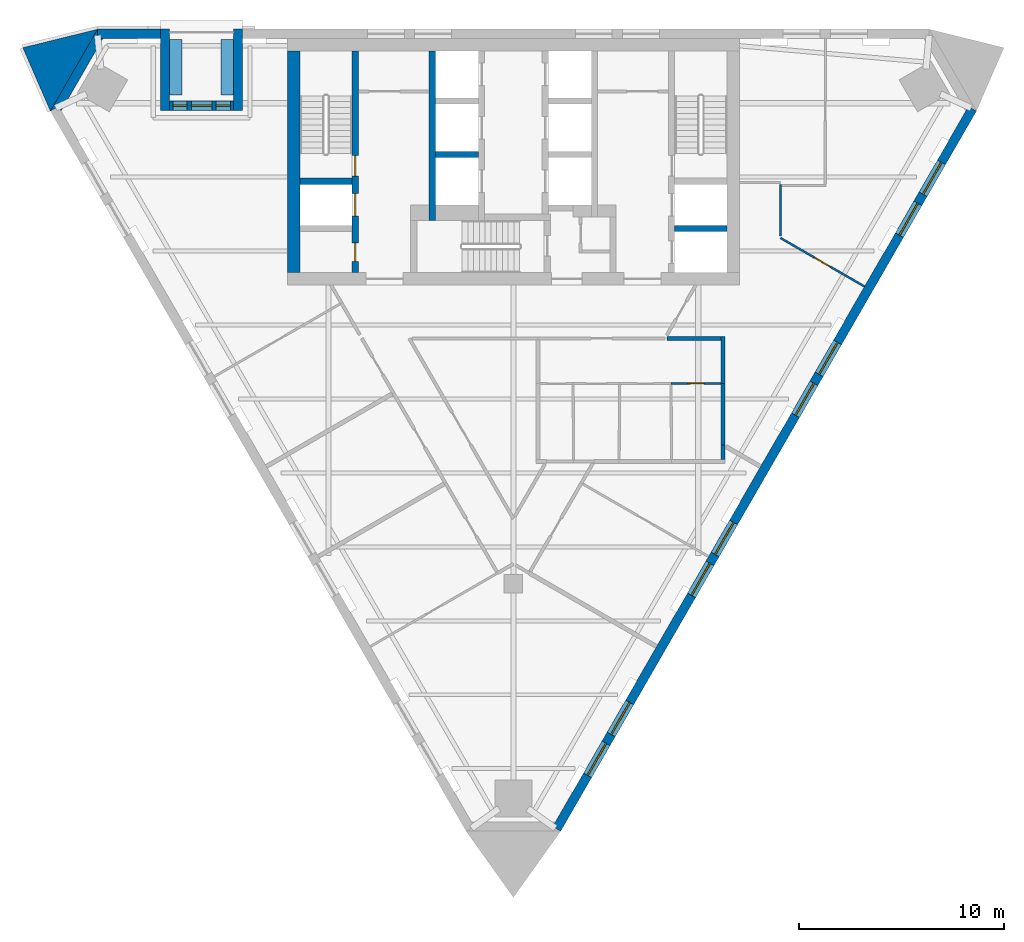
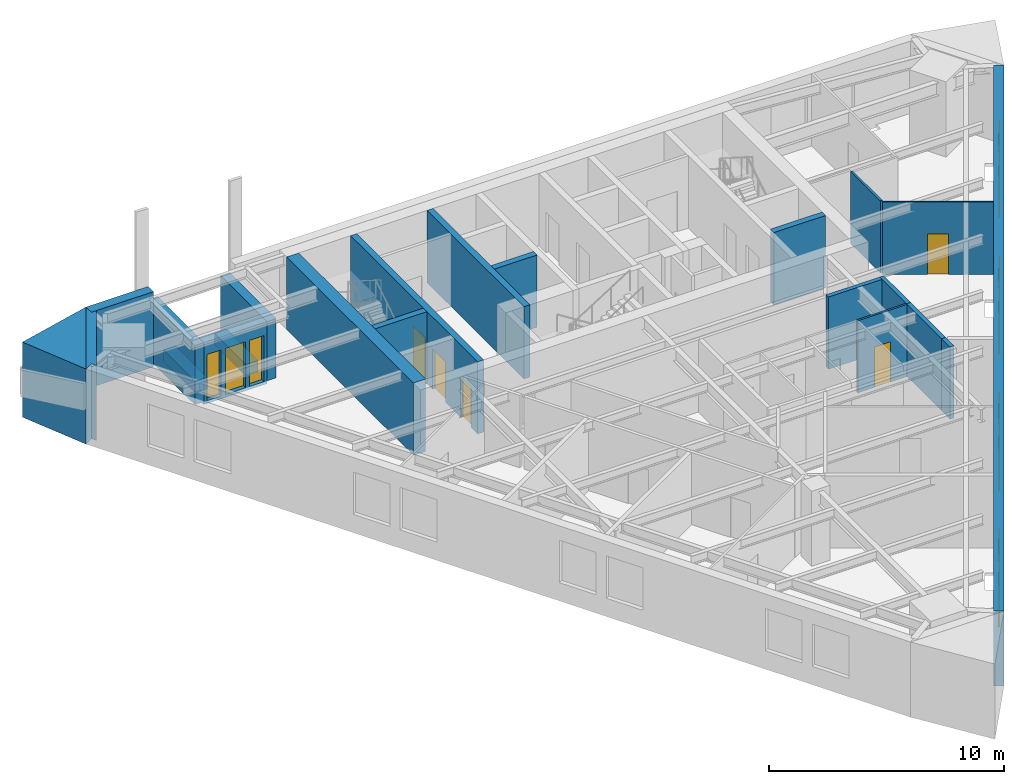
# One storey, part 4 of 8: 22 walls, 10 windows, 6 doors, 16 openings.
"""IFC4 building model written with IfcOpenShell, lengths in metres."""

import ifcopenshell
import ifcopenshell.guid

model = None  # the IFC model being written
_history = None  # IfcOwnerHistory: only IFC2X3 demands one
_inside = {}  # id of a spatial element -> (the spatial element, [elements in it])
_under = {}  # id of a project, library or spatial element -> (it, [spatial elements below it])
_declared = {}  # id of a project -> (the project, [libraries it declares])
_typed = {}  # id of a type object -> (the type object, [elements of that type])
_made_of = {}  # id of a material, layer set ... -> (it, [elements and type objects made of it])


def new_model(schema):
    """Start an empty IFC model of exactly this schema.

    Asked for "IFC4X3", IfcOpenShell would pick the latest addendum, in which some entities
    have other attributes; the version numbers below select the first issue.
    IFC2X3 requires an IfcOwnerHistory on every rooted entity: one is made here for all.
    """
    global model, _history
    if schema == "IFC4X3":
        model = ifcopenshell.file(schema_version=(4, 3, 0, 0))
    else:
        model = ifcopenshell.file(schema=schema)
    _inside.clear()
    _under.clear()
    _declared.clear()
    _typed.clear()
    _made_of.clear()
    _history = None
    if model.schema == "IFC2X3":
        org = make("IfcOrganization", Name="unknown")
        user = make(
            "IfcPersonAndOrganization",
            ThePerson=make("IfcPerson", FamilyName="unknown"),
            TheOrganization=org,
        )
        app = make(
            "IfcApplication",
            ApplicationDeveloper=org,
            Version="unknown",
            ApplicationFullName="unknown",
            ApplicationIdentifier="unknown",
        )
        _history = make(
            "IfcOwnerHistory",
            OwningUser=user,
            OwningApplication=app,
            ChangeAction="ADDED",
            CreationDate=0,
        )
    return model


def make(cls, **values):
    """One entity of the class cls with the attributes given. An attribute that is None is left unset."""
    return model.create_entity(
        cls, **{name: value for name, value in values.items() if value is not None}
    )


def rooted(cls, **values):
    """An entity with a GlobalId (a new one), such as an element, a storey or a relation."""
    return make(cls, GlobalId=ifcopenshell.guid.new(), OwnerHistory=_history, **values)


def si_unit(unit_type, name, prefix=None):
    """IfcSIUnit, for example si_unit("LENGTHUNIT", "METRE", prefix="MILLI")."""
    return make("IfcSIUnit", UnitType=unit_type, Prefix=prefix, Name=name)


def assignment(units):
    """IfcUnitAssignment: the units of a project."""
    return None if units is None else make("IfcUnitAssignment", Units=units)


def point(xyz):
    """IfcCartesianPoint."""
    return None if xyz is None else make("IfcCartesianPoint", Coordinates=xyz)


def direction(xyz):
    """IfcDirection."""
    return None if xyz is None else make("IfcDirection", DirectionRatios=xyz)


def frame(location, z_axis=None, x_axis=None):
    """IfcAxis2Placement3D, a coordinate frame: its origin and axes. An axis left out is left unset."""
    return make(
        "IfcAxis2Placement3D",
        Location=point(location),
        Axis=direction(z_axis),
        RefDirection=direction(x_axis),
    )


def frame_2d(location, x_axis=None):
    """IfcAxis2Placement2D, a coordinate frame in the plane: its origin and x axis."""
    return make(
        "IfcAxis2Placement2D", Location=point(location), RefDirection=direction(x_axis)
    )


def origin():
    """The frame at (0, 0, 0) with its axes left unset."""
    return frame((0.0, 0.0, 0.0))


def place(relative_to, where):
    """IfcLocalPlacement: puts the frame where relative to a parent placement (None: the world)."""
    return make(
        "IfcLocalPlacement", PlacementRelTo=relative_to, RelativePlacement=where
    )


def context(
    kind, dimensions, precision=None, world=None, true_north=None, identifier=None
):
    """IfcGeometricRepresentationContext, for example the 3D "Model" context."""
    return make(
        "IfcGeometricRepresentationContext",
        ContextIdentifier=identifier,
        ContextType=kind,
        CoordinateSpaceDimension=dimensions,
        Precision=precision,
        WorldCoordinateSystem=world,
        TrueNorth=true_north,
    )


def subcontext(parent, identifier, kind, view, scale=None):
    """IfcGeometricRepresentationSubContext, for example "Body" below "Model"."""
    return make(
        "IfcGeometricRepresentationSubContext",
        ContextIdentifier=identifier,
        ContextType=kind,
        ParentContext=parent,
        TargetScale=scale,
        TargetView=view,
    )


def project(units=None, contexts=None):
    """IfcProject with its units and contexts."""
    return rooted(
        "IfcProject",
        Name="project",
        RepresentationContexts=contexts,
        UnitsInContext=assignment(units),
    )


def spatial(cls, under=None, at=None, **own):
    """A site, building, storey or space (cls), placed at a placement, below another one or the project."""
    s = rooted(cls, ObjectPlacement=at, **own)
    if under is not None:
        _under.setdefault(under.id(), (under, []))[1].append(s)
    return s


def polyline(points):
    """IfcPolyline through the points."""
    return make("IfcPolyline", Points=[point(p) for p in points])


def profile(cls, at=None, kind="AREA", **sizes):
    """A parametric profile (cls). Its sizes go by their IFC names, for example OverallWidth=200.0."""
    return make(cls, ProfileType=kind, Position=at, **sizes)


def rectangle(**sizes):
    """IfcRectangleProfileDef."""
    return profile("IfcRectangleProfileDef", **sizes)


def outline(outer, holes=None, kind="AREA"):
    """IfcArbitraryClosedProfileDef: a profile drawn as a closed curve; with holes, ...WithVoids."""
    if holes is None:
        return make("IfcArbitraryClosedProfileDef", ProfileType=kind, OuterCurve=outer)
    return make(
        "IfcArbitraryProfileDefWithVoids",
        ProfileType=kind,
        OuterCurve=outer,
        InnerCurves=holes,
    )


def extrude(swept, where, along, depth):
    """IfcExtrudedAreaSolid: the profile swept, set in the frame where, extruded along a direction by depth."""
    return make(
        "IfcExtrudedAreaSolid",
        SweptArea=swept,
        Position=where,
        ExtrudedDirection=direction(along),
        Depth=depth,
    )


def shape(context_of_items, identifier, shape_type, items):
    """IfcShapeRepresentation: the items that make up one representation, for example the "Body"."""
    return make(
        "IfcShapeRepresentation",
        ContextOfItems=context_of_items,
        RepresentationIdentifier=identifier,
        RepresentationType=shape_type,
        Items=items,
    )


def material(Name=None, Category=None):
    """IfcMaterial."""
    return make("IfcMaterial", Name=Name, Category=Category)


def layer(
    of_material, thickness, ventilated=None, Name=None, Category=None, Priority=None
):
    """IfcMaterialLayer: one layer of a wall or slab, of a material (None: an air gap)."""
    return make(
        "IfcMaterialLayer",
        Material=of_material,
        LayerThickness=thickness,
        IsVentilated=ventilated,
        Name=Name,
        Category=Category,
        Priority=Priority,
    )


def layer_set(layers, Name=None):
    """IfcMaterialLayerSet."""
    return make("IfcMaterialLayerSet", MaterialLayers=layers, LayerSetName=Name)


def made_of(thing, what):
    """Note that an element or type object is made of a material, layer set ...; save() writes the relation."""
    if what is not None:
        _made_of.setdefault(what.id(), (what, []))[1].append(thing)
    return thing


def type_object(cls, material=None, **own):
    """A type object (cls), such as IfcWallType, which elements share."""
    return made_of(rooted(cls, **own), material)


def element(
    cls,
    number,
    at=None,
    inside=None,
    cuts=None,
    type_object=None,
    material=None,
    context=None,
    identifier="Body",
    shape_type=None,
    held_by="IfcProductDefinitionShape",
    body=None,
    shapes=None,
    **own,
):
    """One element of the class cls, such as IfcWall. Its Tag is "e" and its number.

    at: its placement. inside: the storey or other place that contains it. cuts: it is an
    opening in that element (IfcRelVoidsElement). A single representation is given by context,
    identifier, shape_type and body (its items); several are given by shapes. held_by: the class
    of the entity that holds the representations. save() writes the other relations.
    """
    e = rooted(cls, Tag="e%d" % number, ObjectPlacement=at, **own)
    if body is not None:
        shapes = [shape(context, identifier, shape_type, body)]
    if shapes is not None:
        e.Representation = make(held_by, Representations=shapes)
    if inside is not None:
        _inside.setdefault(inside.id(), (inside, []))[1].append(e)
    if cuts is not None:
        rooted(
            "IfcRelVoidsElement", RelatingBuildingElement=cuts, RelatedOpeningElement=e
        )
    if type_object is not None:
        _typed.setdefault(type_object.id(), (type_object, []))[1].append(e)
    return made_of(e, material)


def fill(opening, filler):
    """IfcRelFillsElement: the door or window that sits in an opening."""
    return rooted(
        "IfcRelFillsElement",
        RelatingOpeningElement=opening,
        RelatedBuildingElement=filler,
    )


def aggregate(whole, parts):
    """IfcRelAggregates: a whole, such as a stair, and the parts it consists of."""
    return rooted("IfcRelAggregates", RelatingObject=whole, RelatedObjects=parts)


def save(model, path):
    """Write the relations noted so far, then the file.

    IfcRelAggregates (storeys below a building ...), IfcRelContainedInSpatialStructure (elements
    in a storey), IfcRelDefinesByType, IfcRelAssociatesMaterial and IfcRelDeclares: one each for
    every whole, place, type object, material and project.
    """
    for whole, parts in _under.values():
        aggregate(whole, parts)
    for where, things in _inside.values():
        rooted(
            "IfcRelContainedInSpatialStructure",
            RelatedElements=things,
            RelatingStructure=where,
        )
    for kind, things in _typed.values():
        rooted("IfcRelDefinesByType", RelatedObjects=things, RelatingType=kind)
    for what, things in _made_of.values():
        rooted("IfcRelAssociatesMaterial", RelatedObjects=things, RelatingMaterial=what)
    for by, libraries in _declared.values():
        rooted("IfcRelDeclares", RelatingContext=by, RelatedDefinitions=libraries)
    model.write(path)


model = new_model("IFC4")

# Units and contexts
model_context = context("Model", 3, precision=1e-05, world=origin(), true_north=direction((0.0, 1.0)))
body_context = subcontext(model_context, "Body", "Model", "MODEL_VIEW")
ifc_project = project(units=[si_unit("LENGTHUNIT", "METRE"), si_unit("AREAUNIT", "SQUARE_METRE"), si_unit("VOLUMEUNIT", "CUBIC_METRE"), si_unit("PLANEANGLEUNIT", "RADIAN"), si_unit("MASSUNIT", "GRAM", prefix="KILO")], contexts=[model_context])

# Site, building, storey
site_placement = place(None, origin())
site = spatial("IfcSite", under=ifc_project, at=site_placement, CompositionType="ELEMENT")
building_placement = place(site_placement, origin())
building = spatial("IfcBuilding", under=site, at=building_placement, Name="Aloe Facet Convention Tower", CompositionType="ELEMENT")
storey_placement = place(building_placement, frame((0.0, 0.0, 140.300048828125)))
storey = spatial("IfcBuildingStorey", under=building, at=storey_placement, Name="L35", CompositionType="ELEMENT", Elevation=140.300048828125)

# Wall
ifc_material_1 = material(Name="Concrete C60/75", Category="concrete")
ifc_layer_1 = layer(ifc_material_1, 0.300048828125)
ifc_layer_set_1 = layer_set([ifc_layer_1], Name="CR-W-RC300-C6075")
wall_type_1 = type_object("IfcWallType", Name="CR-W-RC300-C6075", PredefinedType="SOLIDWALL", material=ifc_layer_set_1)
wall_1_placement = place(storey_placement, frame((69.60009765625, 127.60009765625, 0.0), z_axis=(0.0, 0.0, 1.0), x_axis=(1.0, 0.0, 0.0)))
element("IfcWall", 1, at=wall_1_placement, inside=storey, type_object=wall_type_1, Name="Core wall L35-004", PredefinedType="SOLIDWALL", context=body_context, shape_type="SweptSolid", body=[
    extrude(rectangle(XDim=2.5498046875, YDim=0.300048828125, at=frame_2d((1.27490234375, 0.0))), origin(), (0.0, 0.0, 1.0), 3.75),
])

# Wall, openings, doors
wall_2_placement = place(storey_placement, frame((72.300048828125, 133.949951171875, 0.0), z_axis=(0.0, 0.0, 1.0), x_axis=(0.0, -1.0, 0.0)))
wall_2 = element("IfcWall", 2, at=wall_2_placement, inside=storey, type_object=wall_type_1, Name="Core wall L35-006", PredefinedType="SOLIDWALL", context=body_context, shape_type="SweptSolid", body=[
    extrude(rectangle(XDim=10.800048828125, YDim=0.300048828125, at=frame_2d((5.39990234375, 0.0))), origin(), (0.0, 0.0, 1.0), 3.75),
])
opening_1_placement = place(wall_2_placement, frame((6.949951171875, 0.0, 0.0)))
opening_1 = element("IfcOpeningElement", 3, at=opening_1_placement, cuts=wall_2, Name="Opening LD-FF1-L35", PredefinedType="OPENING", context=body_context, shape_type="SweptSolid", body=[
    extrude(rectangle(XDim=1.10009765625, YDim=2.10009765625, at=frame_2d((0.550048828125, 1.050048828125))), frame((0.0, 0.16015625, 0.0), z_axis=(0.0, -1.0, 0.0), x_axis=(1.0, 0.0, 0.0)), (0.0, 0.0, 1.0), 0.320068359375),
])
opening_2_placement = place(wall_2_placement, frame((9.35009765625, 0.0, 0.0)))
opening_2 = element("IfcOpeningElement", 4, at=opening_2_placement, cuts=wall_2, Name="Opening L35-CD15", PredefinedType="OPENING", context=body_context, shape_type="SweptSolid", body=[
    extrude(rectangle(XDim=0.89990234375, YDim=2.10009765625, at=frame_2d((0.449951171875, 1.050048828125))), frame((0.0, 0.16015625, 0.0), z_axis=(0.0, -1.0, 0.0), x_axis=(1.0, 0.0, 0.0)), (0.0, 0.0, 1.0), 0.320068359375),
])
opening_3_placement = place(wall_2_placement, frame((5.10009765625, 0.0, 0.0)))
opening_3 = element("IfcOpeningElement", 5, at=opening_3_placement, cuts=wall_2, Name="Opening L35-CD16", PredefinedType="OPENING", context=body_context, shape_type="SweptSolid", body=[
    extrude(rectangle(XDim=1.0, YDim=2.10009765625, at=frame_2d((0.5, 1.050048828125))), frame((0.0, 0.16015625, 0.0), z_axis=(0.0, -1.0, 0.0), x_axis=(1.0, 0.0, 0.0)), (0.0, 0.0, 1.0), 0.320068359375),
])
ifc_material_2 = material(Name="Steel fire-resisting door set FD60", Category="steel")
door_type_1 = type_object("IfcDoorType", Name="CR-D-ROOM-900-FD60-SLEFT", OperationType="SINGLE_SWING_LEFT", PredefinedType="DOOR", material=ifc_material_2)
door_1_placement = place(opening_2_placement, origin())
door_1 = element("IfcDoor", 6, at=door_1_placement, inside=storey, type_object=door_type_1, Name="Core door L35-CD15", OperationType="SINGLE_SWING_LEFT", OverallHeight=2.10009765625, OverallWidth=0.89990234375, PredefinedType="DOOR", context=body_context, shape_type="SweptSolid", body=[
    extrude(rectangle(XDim=0.89990234375, YDim=2.10009765625, at=frame_2d((0.449951171875, 1.050048828125))), frame((0.0, 0.02490234375, 0.0), z_axis=(0.0, -1.0, 0.0), x_axis=(1.0, 0.0, 0.0)), (0.0, 0.0, 1.0), 0.050048828125),
])
fill(opening_2, door_1)
ifc_material_3 = material(Name="Steel fire-resisting door set FD120", Category="steel")
door_type_2 = type_object("IfcDoorType", Name="CR-D-STAIR-1000-FD120-SRIGHT", OperationType="SINGLE_SWING_RIGHT", PredefinedType="DOOR", material=ifc_material_3)
door_2_placement = place(opening_3_placement, origin())
door_2 = element("IfcDoor", 7, at=door_2_placement, inside=storey, type_object=door_type_2, Name="Core door L35-CD16", OperationType="SINGLE_SWING_RIGHT", OverallHeight=2.10009765625, OverallWidth=1.0, PredefinedType="DOOR", context=body_context, shape_type="SweptSolid", body=[
    extrude(rectangle(XDim=1.0, YDim=2.10009765625, at=frame_2d((0.5, 1.050048828125))), frame((0.0, 0.02490234375, 0.0), z_axis=(0.0, -1.0, 0.0), x_axis=(1.0, 0.0, 0.0)), (0.0, 0.0, 1.0), 0.050048828125),
])
fill(opening_3, door_2)
ifc_material_4 = material(Name="Stainless steel sliding landing door", Category="steel")
door_type_3 = type_object("IfcDoorType", Name="CR-LD-1100-FD120-_LEFT", OperationType="SLIDING_TO_LEFT", PredefinedType="DOOR", material=ifc_material_4)
door_3_placement = place(opening_1_placement, origin())
door_3 = element("IfcDoor", 8, at=door_3_placement, inside=storey, type_object=door_type_3, Name="Landing door FF1 L35", OperationType="SLIDING_TO_LEFT", OverallHeight=2.10009765625, OverallWidth=1.10009765625, PredefinedType="DOOR", context=body_context, shape_type="SweptSolid", body=[
    extrude(rectangle(XDim=1.10009765625, YDim=2.10009765625, at=frame_2d((0.550048828125, 1.050048828125))), frame((0.0, 0.02490234375, 0.0), z_axis=(0.0, -1.0, 0.0), x_axis=(1.0, 0.0, 0.0)), (0.0, 0.0, 1.0), 0.050048828125),
])
fill(opening_1, door_3)

# Walls
wall_3_placement = place(storey_placement, frame((76.050048828125, 133.949951171875, 0.0), z_axis=(0.0, 0.0, 1.0), x_axis=(0.0, -1.0, 0.0)))
element("IfcWall", 9, at=wall_3_placement, inside=storey, type_object=wall_type_1, Name="Core wall L35-010", PredefinedType="SOLIDWALL", context=body_context, shape_type="SweptSolid", body=[
    extrude(rectangle(XDim=8.25, YDim=0.300048828125, at=frame_2d((4.125, 0.0))), origin(), (0.0, 0.0, 1.0), 3.75),
])
wall_4_placement = place(storey_placement, frame((76.199951171875, 128.89990234375, 0.0), z_axis=(0.0, 0.0, 1.0), x_axis=(1.0, 0.0, 0.0)))
element("IfcWall", 10, at=wall_4_placement, inside=storey, type_object=wall_type_1, Name="Core wall L35-012", PredefinedType="SOLIDWALL", context=body_context, shape_type="SweptSolid", body=[
    extrude(rectangle(XDim=2.10009765625, YDim=0.300048828125, at=frame_2d((1.050048828125, 0.0))), origin(), (0.0, 0.0, 1.0), 3.75),
])
wall_5_placement = place(storey_placement, frame((87.85009765625, 125.300048828125, 0.0), z_axis=(0.0, 0.0, 1.0), x_axis=(1.0, 0.0, 0.0)))
element("IfcWall", 11, at=wall_5_placement, inside=storey, type_object=wall_type_1, Name="Core wall L35-030", PredefinedType="SOLIDWALL", context=body_context, shape_type="SweptSolid", body=[
    extrude(rectangle(XDim=2.5498046875, YDim=0.300048828125, at=frame_2d((1.27490234375, 0.0))), origin(), (0.0, 0.0, 1.0), 3.75),
])
ifc_material_5 = material(Name="Concrete C60/75", Category="concrete")
ifc_layer_2 = layer(ifc_material_5, 0.60009765625)
ifc_layer_set_2 = layer_set([ifc_layer_2], Name="CR-W-RC600-C6075")
wall_type_2 = type_object("IfcWallType", Name="CR-W-RC600-C6075", PredefinedType="SOLIDWALL", material=ifc_layer_set_2)
wall_6_placement = place(storey_placement, frame((69.300048828125, 133.949951171875, 0.0), z_axis=(0.0, 0.0, 1.0), x_axis=(0.0, -1.0, 0.0)))
element("IfcWall", 12, at=wall_6_placement, inside=storey, type_object=wall_type_2, Name="Core wall L35-002", PredefinedType="SOLIDWALL", context=body_context, shape_type="SweptSolid", body=[
    extrude(rectangle(XDim=10.800048828125, YDim=0.60009765625, at=frame_2d((5.39990234375, 0.0))), origin(), (0.0, 0.0, 1.0), 3.75),
])
ifc_material_6 = material(Name="Precast concrete C40/50", Category="concrete")
ifc_layer_3 = layer(ifc_material_6, 0.60009765625)
ifc_layer_set_3 = layer_set([ifc_layer_3], Name="EV-PLANTER")
wall_type_3 = type_object("IfcWallType", Name="EV-PLANTER", PredefinedType="STANDARD", material=ifc_layer_set_3)
for number, where, z_axis, x_axis, name in (
    (13, (66.067626953125, 134.5, 0.0), (0.0, 0.0, 1.0), (0.0, -1.0, 0.0), "PLANTER T07-1"),
    (14, (63.567626953125, 134.5, 0.0), (0.0, 0.0, 1.0), (0.0, -1.0, 0.0), "PLANTER T07-2"),
):
    element("IfcWall", number, at=place(storey_placement, frame(where, z_axis=z_axis, x_axis=x_axis)), inside=storey, type_object=wall_type_3, Name=name, PredefinedType="STANDARD", context=body_context, shape_type="SweptSolid", body=[
        extrude(rectangle(XDim=2.699951171875, YDim=0.60009765625, at=frame_2d((1.35009765625, 0.0))), origin(), (0.0, 0.0, 1.0), 0.599853515625),
    ])
ifc_material_7 = material(Name="Precast concrete C40/50", Category="concrete")
ifc_layer_4 = layer(ifc_material_7, 0.449951171875)
ifc_layer_set_4 = layer_set([ifc_layer_4], Name="EV-WALL-PIER")
wall_type_4 = type_object("IfcWallType", Name="EV-WALL-PIER", PredefinedType="SOLIDWALL", material=ifc_layer_set_4)
wall_7_placement = place(storey_placement, frame((0.0, 0.0, -0.150146484375)))
element("IfcWall", 15, at=wall_7_placement, inside=storey, type_object=wall_type_4, Name="EP-L35-A", PredefinedType="SOLIDWALL", context=body_context, shape_type="SweptSolid", body=[
    extrude(outline(polyline([(59.7568359375, 135.0), (59.7568359375, 134.550048828125), (60.016845703125, 134.550048828125), (57.9765625, 131.016357421875), (57.8466796875, 131.2412109375), (57.45703125, 131.016357421875), (59.7568359375, 135.0)])), origin(), (0.0, 0.0, 1.0), 3.900146484375),
])
ifc_material_8 = material(Name="Precast concrete C40/50", Category="concrete")
ifc_layer_5 = layer(ifc_material_8, 3.947998046875)
ifc_layer_set_5 = layer_set([ifc_layer_5], Name="EV-WALL-SPINE")
wall_type_5 = type_object("IfcWallType", Name="EV-WALL-SPINE", PredefinedType="SOLIDWALL", material=ifc_layer_set_5)
wall_8_placement = place(storey_placement, frame((0.0, 0.0, -0.150146484375)))
element("IfcWall", 16, at=wall_8_placement, inside=storey, type_object=wall_type_5, Name="SP-NW-L35", PredefinedType="SOLIDWALL", context=body_context, shape_type="SweptSolid", body=[
    extrude(outline(polyline([(59.7568359375, 135.0), (56.11572265625, 134.1015625), (57.45703125, 131.016357421875), (59.7568359375, 135.0)])), origin(), (0.0, 0.0, 1.0), 3.900146484375),
])
ifc_material_9 = material(Name="Precast concrete C40/50", Category="concrete")
ifc_layer_6 = layer(ifc_material_9, 0.449951171875)
ifc_layer_set_6 = layer_set([ifc_layer_6], Name="EV-WALL-STONE")
wall_type_6 = type_object("IfcWallType", Name="EV-WALL-STONE", PredefinedType="SOLIDWALL", material=ifc_layer_set_6)
wall_9_placement = place(storey_placement, frame((62.817626953125, 134.77490234375, -0.150146484375), z_axis=(0.0, 0.0, 1.0), x_axis=(-1.0, 0.0, 0.0)))
element("IfcWall", 17, at=wall_9_placement, inside=storey, type_object=wall_type_6, Name="EW-L35-N02", PredefinedType="SOLIDWALL", context=body_context, shape_type="SweptSolid", body=[
    extrude(outline(polyline([(3.060791015625, 3.900146484375), (3.060791015625, 0.0), (0.0, 0.0), (0.0, 3.900146484375), (3.060791015625, 3.900146484375)])), frame((0.0, 0.22509765625, 0.0), z_axis=(0.0, -1.0, 0.0), x_axis=(1.0, 0.0, 0.0)), (0.0, 0.0, 1.0), 0.449951171875),
])

# Wall, openings, windows
wall_10_placement = place(storey_placement, frame((82.105224609375, 96.066650390625, -0.150146484375), z_axis=(0.0, 0.0, 1.0), x_axis=(0.499997369791, 0.866026922331, 0.0)))
wall_10 = element("IfcWall", 18, at=wall_10_placement, inside=storey, type_object=wall_type_6, Name="EW-L35-E01", PredefinedType="SOLIDWALL", context=body_context, shape_type="SweptSolid", body=[
    extrude(outline(polyline([(40.486083984375, 0.0), (40.486083984375, 3.900146484375), (0.0, 3.900146484375), (0.0, 0.0), (40.486083984375, 0.0)])), frame((0.0, 0.22509765625, 0.0), z_axis=(0.0, -1.0, 0.0), x_axis=(1.0, 0.0, 0.0)), (0.0, 0.0, 1.0), 0.449951171875),
])
opening_4_placement = place(wall_10_placement, frame((3.0107421875, 0.0, 0.949951171875)))
opening_4 = element("IfcOpeningElement", 19, at=opening_4_placement, cuts=wall_10, Name="Opening W-L35-E01", PredefinedType="OPENING", context=body_context, shape_type="SweptSolid", body=[
    extrude(rectangle(XDim=1.800048828125, YDim=2.199951171875, at=frame_2d((0.89990234375, 1.10009765625))), frame((0.0, 0.23486328125, 0.0), z_axis=(0.0, -1.0, 0.0), x_axis=(1.0, 0.0, 0.0)), (0.0, 0.0, 1.0), 0.469970703125),
])
opening_5_placement = place(wall_10_placement, frame((5.310791015625, 0.0, 0.949951171875)))
opening_5 = element("IfcOpeningElement", 20, at=opening_5_placement, cuts=wall_10, Name="Opening W-L35-E02", PredefinedType="OPENING", context=body_context, shape_type="SweptSolid", body=[
    extrude(rectangle(XDim=1.800048828125, YDim=2.199951171875, at=frame_2d((0.89990234375, 1.10009765625))), frame((0.0, 0.23486328125, 0.0), z_axis=(0.0, -1.0, 0.0), x_axis=(1.0, 0.0, 0.0)), (0.0, 0.0, 1.0), 0.469970703125),
])
opening_6_placement = place(wall_10_placement, frame((13.13232421875, 0.0, 0.949951171875)))
opening_6 = element("IfcOpeningElement", 21, at=opening_6_placement, cuts=wall_10, Name="Opening W-L35-E03", PredefinedType="OPENING", context=body_context, shape_type="SweptSolid", body=[
    extrude(rectangle(XDim=1.800048828125, YDim=2.199951171875, at=frame_2d((0.89990234375, 1.10009765625))), frame((0.0, 0.23486328125, 0.0), z_axis=(0.0, -1.0, 0.0), x_axis=(1.0, 0.0, 0.0)), (0.0, 0.0, 1.0), 0.469970703125),
])
opening_7_placement = place(wall_10_placement, frame((15.432373046875, 0.0, 0.949951171875)))
opening_7 = element("IfcOpeningElement", 22, at=opening_7_placement, cuts=wall_10, Name="Opening W-L35-E04", PredefinedType="OPENING", context=body_context, shape_type="SweptSolid", body=[
    extrude(rectangle(XDim=1.800048828125, YDim=2.199951171875, at=frame_2d((0.89990234375, 1.10009765625))), frame((0.0, 0.23486328125, 0.0), z_axis=(0.0, -1.0, 0.0), x_axis=(1.0, 0.0, 0.0)), (0.0, 0.0, 1.0), 0.469970703125),
])
opening_8_placement = place(wall_10_placement, frame((23.25390625, 0.0, 0.949951171875)))
opening_8 = element("IfcOpeningElement", 23, at=opening_8_placement, cuts=wall_10, Name="Opening W-L35-E05", PredefinedType="OPENING", context=body_context, shape_type="SweptSolid", body=[
    extrude(rectangle(XDim=1.800048828125, YDim=2.199951171875, at=frame_2d((0.89990234375, 1.10009765625))), frame((0.0, 0.23486328125, 0.0), z_axis=(0.0, -1.0, 0.0), x_axis=(1.0, 0.0, 0.0)), (0.0, 0.0, 1.0), 0.469970703125),
])
opening_9_placement = place(wall_10_placement, frame((25.553955078125, 0.0, 0.949951171875)))
opening_9 = element("IfcOpeningElement", 24, at=opening_9_placement, cuts=wall_10, Name="Opening W-L35-E06", PredefinedType="OPENING", context=body_context, shape_type="SweptSolid", body=[
    extrude(rectangle(XDim=1.800048828125, YDim=2.199951171875, at=frame_2d((0.89990234375, 1.10009765625))), frame((0.0, 0.23486328125, 0.0), z_axis=(0.0, -1.0, 0.0), x_axis=(1.0, 0.0, 0.0)), (0.0, 0.0, 1.0), 0.469970703125),
])
opening_10_placement = place(wall_10_placement, frame((33.37548828125, 0.0, 0.949951171875)))
opening_10 = element("IfcOpeningElement", 25, at=opening_10_placement, cuts=wall_10, Name="Opening W-L35-E07", PredefinedType="OPENING", context=body_context, shape_type="SweptSolid", body=[
    extrude(rectangle(XDim=1.800048828125, YDim=2.199951171875, at=frame_2d((0.89990234375, 1.10009765625))), frame((0.0, 0.23486328125, 0.0), z_axis=(0.0, -1.0, 0.0), x_axis=(1.0, 0.0, 0.0)), (0.0, 0.0, 1.0), 0.469970703125),
])
opening_11_placement = place(wall_10_placement, frame((35.67529296875, 0.0, 0.949951171875)))
opening_11 = element("IfcOpeningElement", 26, at=opening_11_placement, cuts=wall_10, Name="Opening W-L35-E08", PredefinedType="OPENING", context=body_context, shape_type="SweptSolid", body=[
    extrude(rectangle(XDim=1.800048828125, YDim=2.199951171875, at=frame_2d((0.89990234375, 1.10009765625))), frame((0.0, 0.23486328125, 0.0), z_axis=(0.0, -1.0, 0.0), x_axis=(1.0, 0.0, 0.0)), (0.0, 0.0, 1.0), 0.469970703125),
])
ifc_material_10 = material(Name="Aluminium frame, clear double glazing", Category="aluminium")
window_type_1 = type_object("IfcWindowType", Name="EV-WIN-O18", PartitioningType="SINGLE_PANEL", PredefinedType="WINDOW", material=ifc_material_10)
window_1_placement = place(opening_4_placement, origin())
window_1 = element("IfcWindow", 27, at=window_1_placement, inside=storey, type_object=window_type_1, Name="W-L35-E01", OverallHeight=2.199951171875, OverallWidth=1.800048828125, PartitioningType="SINGLE_PANEL", PredefinedType="WINDOW", context=body_context, shape_type="SweptSolid", body=[
    extrude(rectangle(XDim=1.800048828125, YDim=2.199951171875, at=frame_2d((0.89990234375, 1.10009765625))), frame((0.0, 0.030029296875, 0.0), z_axis=(0.0, -1.0, 0.0), x_axis=(1.0, 0.0, 0.0)), (0.0, 0.0, 1.0), 0.06005859375),
])
fill(opening_4, window_1)
window_2_placement = place(opening_5_placement, origin())
window_2 = element("IfcWindow", 28, at=window_2_placement, inside=storey, type_object=window_type_1, Name="W-L35-E02", OverallHeight=2.199951171875, OverallWidth=1.800048828125, PartitioningType="SINGLE_PANEL", PredefinedType="WINDOW", context=body_context, shape_type="SweptSolid", body=[
    extrude(rectangle(XDim=1.800048828125, YDim=2.199951171875, at=frame_2d((0.89990234375, 1.10009765625))), frame((0.0, 0.030029296875, 0.0), z_axis=(0.0, -1.0, 0.0), x_axis=(1.0, 0.0, 0.0)), (0.0, 0.0, 1.0), 0.06005859375),
])
fill(opening_5, window_2)
window_3_placement = place(opening_6_placement, origin())
window_3 = element("IfcWindow", 29, at=window_3_placement, inside=storey, type_object=window_type_1, Name="W-L35-E03", OverallHeight=2.199951171875, OverallWidth=1.800048828125, PartitioningType="SINGLE_PANEL", PredefinedType="WINDOW", context=body_context, shape_type="SweptSolid", body=[
    extrude(rectangle(XDim=1.800048828125, YDim=2.199951171875, at=frame_2d((0.89990234375, 1.10009765625))), frame((0.0, 0.030029296875, 0.0), z_axis=(0.0, -1.0, 0.0), x_axis=(1.0, 0.0, 0.0)), (0.0, 0.0, 1.0), 0.06005859375),
])
fill(opening_6, window_3)
window_4_placement = place(opening_7_placement, origin())
window_4 = element("IfcWindow", 30, at=window_4_placement, inside=storey, type_object=window_type_1, Name="W-L35-E04", OverallHeight=2.199951171875, OverallWidth=1.800048828125, PartitioningType="SINGLE_PANEL", PredefinedType="WINDOW", context=body_context, shape_type="SweptSolid", body=[
    extrude(rectangle(XDim=1.800048828125, YDim=2.199951171875, at=frame_2d((0.89990234375, 1.10009765625))), frame((0.0, 0.030029296875, 0.0), z_axis=(0.0, -1.0, 0.0), x_axis=(1.0, 0.0, 0.0)), (0.0, 0.0, 1.0), 0.06005859375),
])
fill(opening_7, window_4)
window_5_placement = place(opening_8_placement, origin())
window_5 = element("IfcWindow", 31, at=window_5_placement, inside=storey, type_object=window_type_1, Name="W-L35-E05", OverallHeight=2.199951171875, OverallWidth=1.800048828125, PartitioningType="SINGLE_PANEL", PredefinedType="WINDOW", context=body_context, shape_type="SweptSolid", body=[
    extrude(rectangle(XDim=1.800048828125, YDim=2.199951171875, at=frame_2d((0.89990234375, 1.10009765625))), frame((0.0, 0.030029296875, 0.0), z_axis=(0.0, -1.0, 0.0), x_axis=(1.0, 0.0, 0.0)), (0.0, 0.0, 1.0), 0.06005859375),
])
fill(opening_8, window_5)
window_6_placement = place(opening_9_placement, origin())
window_6 = element("IfcWindow", 32, at=window_6_placement, inside=storey, type_object=window_type_1, Name="W-L35-E06", OverallHeight=2.199951171875, OverallWidth=1.800048828125, PartitioningType="SINGLE_PANEL", PredefinedType="WINDOW", context=body_context, shape_type="SweptSolid", body=[
    extrude(rectangle(XDim=1.800048828125, YDim=2.199951171875, at=frame_2d((0.89990234375, 1.10009765625))), frame((0.0, 0.030029296875, 0.0), z_axis=(0.0, -1.0, 0.0), x_axis=(1.0, 0.0, 0.0)), (0.0, 0.0, 1.0), 0.06005859375),
])
fill(opening_9, window_6)
window_7_placement = place(opening_10_placement, origin())
window_7 = element("IfcWindow", 33, at=window_7_placement, inside=storey, type_object=window_type_1, Name="W-L35-E07", OverallHeight=2.199951171875, OverallWidth=1.800048828125, PartitioningType="SINGLE_PANEL", PredefinedType="WINDOW", context=body_context, shape_type="SweptSolid", body=[
    extrude(rectangle(XDim=1.800048828125, YDim=2.199951171875, at=frame_2d((0.89990234375, 1.10009765625))), frame((0.0, 0.030029296875, 0.0), z_axis=(0.0, -1.0, 0.0), x_axis=(1.0, 0.0, 0.0)), (0.0, 0.0, 1.0), 0.06005859375),
])
fill(opening_10, window_7)
window_8_placement = place(opening_11_placement, origin())
window_8 = element("IfcWindow", 34, at=window_8_placement, inside=storey, type_object=window_type_1, Name="W-L35-E08", OverallHeight=2.199951171875, OverallWidth=1.800048828125, PartitioningType="SINGLE_PANEL", PredefinedType="WINDOW", context=body_context, shape_type="SweptSolid", body=[
    extrude(rectangle(XDim=1.800048828125, YDim=2.199951171875, at=frame_2d((0.89990234375, 1.10009765625))), frame((0.0, 0.030029296875, 0.0), z_axis=(0.0, -1.0, 0.0), x_axis=(1.0, 0.0, 0.0)), (0.0, 0.0, 1.0), 0.06005859375),
])
fill(opening_11, window_8)

# Walls
for number, where, z_axis, x_axis, name in (
    (35, (66.5927734375, 135.0, 0.0), (0.0, 0.0, 1.0), (0.0, -1.0, 0.0), "TW-T07-1"),
    (36, (63.042724609375, 135.0, 0.0), (0.0, 0.0, 1.0), (0.0, -1.0, 0.0), "TW-T07-2"),
):
    element("IfcWall", number, at=place(storey_placement, frame(where, z_axis=z_axis, x_axis=x_axis)), inside=storey, type_object=wall_type_6, Name=name, PredefinedType="SOLIDWALL", context=body_context, shape_type="SweptSolid", body=[
        extrude(rectangle(XDim=3.949951171875, YDim=0.449951171875, at=frame_2d((1.97509765625, 0.0))), origin(), (0.0, 0.0, 1.0), 3.072021484375),
    ])

# Wall, openings, door, windows
wall_11_placement = place(storey_placement, frame((66.36767578125, 131.27490234375, -0.150146484375), z_axis=(0.0, 0.0, 1.0), x_axis=(-1.0, 0.0, 0.0)))
wall_11 = element("IfcWall", 37, at=wall_11_placement, inside=storey, type_object=wall_type_6, Name="TB-T07-L35", PredefinedType="SOLIDWALL", context=body_context, shape_type="SweptSolid", body=[
    extrude(rectangle(XDim=3.10009765625, YDim=0.449951171875, at=frame_2d((1.550048828125, 0.0))), origin(), (0.0, 0.0, 1.0), 3.22216796875),
])
opening_12_placement = place(wall_11_placement, frame((1.050048828125, 0.0, 0.14990234375)))
opening_12 = element("IfcOpeningElement", 38, at=opening_12_placement, cuts=wall_11, Name="Opening D-T07", PredefinedType="OPENING", context=body_context, shape_type="SweptSolid", body=[
    extrude(rectangle(XDim=1.0, YDim=2.39990234375, at=frame_2d((0.5, 1.199951171875))), frame((0.0, 0.23486328125, 0.0), z_axis=(0.0, -1.0, 0.0), x_axis=(1.0, 0.0, 0.0)), (0.0, 0.0, 1.0), 0.469970703125),
])
opening_13_placement = place(wall_11_placement, frame((0.14990234375, 0.0, 0.14990234375)))
opening_13 = element("IfcOpeningElement", 39, at=opening_13_placement, cuts=wall_11, Name="Opening G-T07-1", PredefinedType="OPENING", context=body_context, shape_type="SweptSolid", body=[
    extrude(rectangle(XDim=0.699951171875, YDim=2.39990234375, at=frame_2d((0.35009765625, 1.199951171875))), frame((0.0, 0.23486328125, 0.0), z_axis=(0.0, -1.0, 0.0), x_axis=(1.0, 0.0, 0.0)), (0.0, 0.0, 1.0), 0.469970703125),
])
opening_14_placement = place(wall_11_placement, frame((2.25, 0.0, 0.14990234375)))
opening_14 = element("IfcOpeningElement", 40, at=opening_14_placement, cuts=wall_11, Name="Opening G-T07-2", PredefinedType="OPENING", context=body_context, shape_type="SweptSolid", body=[
    extrude(rectangle(XDim=0.699951171875, YDim=2.39990234375, at=frame_2d((0.35009765625, 1.199951171875))), frame((0.0, 0.23486328125, 0.0), z_axis=(0.0, -1.0, 0.0), x_axis=(1.0, 0.0, 0.0)), (0.0, 0.0, 1.0), 0.469970703125),
])
ifc_material_11 = material(Name="Aluminium frame, clear double glazing", Category="aluminium")
door_type_4 = type_object("IfcDoorType", Name="EV-DOOR-TERR", OperationType="SINGLE_SWING_LEFT", PredefinedType="DOOR", material=ifc_material_11)
door_4_placement = place(opening_12_placement, origin())
door_4 = element("IfcDoor", 41, at=door_4_placement, inside=storey, type_object=door_type_4, Name="D-T07", OperationType="SINGLE_SWING_LEFT", OverallHeight=2.39990234375, OverallWidth=1.0, PredefinedType="DOOR", context=body_context, shape_type="SweptSolid", body=[
    extrude(rectangle(XDim=1.0, YDim=2.39990234375, at=frame_2d((0.5, 1.199951171875))), frame((0.0, 0.02490234375, 0.0), z_axis=(0.0, -1.0, 0.0), x_axis=(1.0, 0.0, 0.0)), (0.0, 0.0, 1.0), 0.050048828125),
])
fill(opening_12, door_4)
ifc_material_12 = material(Name="Aluminium frame, clear double glazing", Category="aluminium")
window_type_2 = type_object("IfcWindowType", Name="EV-WIN-SL70", PartitioningType="SINGLE_PANEL", PredefinedType="WINDOW", material=ifc_material_12)
window_9_placement = place(opening_13_placement, origin())
window_9 = element("IfcWindow", 42, at=window_9_placement, inside=storey, type_object=window_type_2, Name="G-T07-1", OverallHeight=2.39990234375, OverallWidth=0.699951171875, PartitioningType="SINGLE_PANEL", PredefinedType="WINDOW", context=body_context, shape_type="SweptSolid", body=[
    extrude(rectangle(XDim=0.699951171875, YDim=2.39990234375, at=frame_2d((0.35009765625, 1.199951171875))), frame((0.0, 0.030029296875, 0.0), z_axis=(0.0, -1.0, 0.0), x_axis=(1.0, 0.0, 0.0)), (0.0, 0.0, 1.0), 0.06005859375),
])
fill(opening_13, window_9)
window_10_placement = place(opening_14_placement, origin())
window_10 = element("IfcWindow", 43, at=window_10_placement, inside=storey, type_object=window_type_2, Name="G-T07-2", OverallHeight=2.39990234375, OverallWidth=0.699951171875, PartitioningType="SINGLE_PANEL", PredefinedType="WINDOW", context=body_context, shape_type="SweptSolid", body=[
    extrude(rectangle(XDim=0.699951171875, YDim=2.39990234375, at=frame_2d((0.35009765625, 1.199951171875))), frame((0.0, 0.030029296875, 0.0), z_axis=(0.0, -1.0, 0.0), x_axis=(1.0, 0.0, 0.0)), (0.0, 0.0, 1.0), 0.06005859375),
])
fill(opening_14, window_10)

# Wall, opening, door
ifc_material_13 = material(Name="Gypsum board partition on steel studs", Category="steel")
ifc_layer_7 = layer(ifc_material_13, 0.10009765625)
ifc_layer_set_7 = layer_set([ifc_layer_7], Name="IN-W-PART")
wall_type_7 = type_object("IfcWallType", Name="IN-W-PART", PredefinedType="PARTITIONING", material=ifc_layer_set_7)
wall_12_placement = place(storey_placement, frame((87.679931640625, 117.75, 0.0), z_axis=(0.0, 0.0, 1.0), x_axis=(0.999992261016, 0.003934197335, 0.0)))
wall_12 = element("IfcWall", 44, at=wall_12_placement, inside=storey, type_object=wall_type_7, Name="Partition L35-W031", PredefinedType="PARTITIONING", context=body_context, shape_type="SweptSolid", body=[
    extrude(rectangle(XDim=2.420166015625, YDim=0.10009765625, at=frame_2d((1.2099609375, 0.0))), origin(), (0.0, 0.0, 1.0), 3.75),
])
opening_15_placement = place(wall_12_placement, frame((0.81005859375, 0.0, 0.0)))
opening_15 = element("IfcOpeningElement", 45, at=opening_15_placement, cuts=wall_12, Name="Opening L35-005", PredefinedType="OPENING", context=body_context, shape_type="SweptSolid", body=[
    extrude(rectangle(XDim=0.800048828125, YDim=2.10009765625, at=frame_2d((0.39990234375, 1.050048828125))), frame((0.0, 0.06005859375, 0.0), z_axis=(0.0, -1.0, 0.0), x_axis=(1.0, 0.0, 0.0)), (0.0, 0.0, 1.0), 0.1201171875),
])
ifc_material_14 = material(Name="Timber door", Category="wood")
door_type_5 = type_object("IfcDoorType", Name="IN-OFF-D-WC", OperationType="SINGLE_SWING_LEFT", PredefinedType="DOOR", material=ifc_material_14)
door_5_placement = place(opening_15_placement, origin())
door_5 = element("IfcDoor", 46, at=door_5_placement, inside=storey, type_object=door_type_5, Name="Door L35-005", OperationType="SINGLE_SWING_LEFT", OverallHeight=2.10009765625, OverallWidth=0.800048828125, PredefinedType="DOOR", context=body_context, shape_type="SweptSolid", body=[
    extrude(rectangle(XDim=0.800048828125, YDim=2.10009765625, at=frame_2d((0.39990234375, 1.050048828125))), frame((0.0, 0.02490234375, 0.0), z_axis=(0.0, -1.0, 0.0), x_axis=(1.0, 0.0, 0.0)), (0.0, 0.0, 1.0), 0.050048828125),
])
fill(opening_15, door_5)

wall_13_placement = place(storey_placement, frame((93.0, 124.838623046875, 0.0), z_axis=(0.0, 0.0, 1.0), x_axis=(0.866028145587, -0.499995251029, 0.0)))
wall_13 = element("IfcWall", 47, at=wall_13_placement, inside=storey, type_object=wall_type_7, Name="Partition L35-W040", PredefinedType="PARTITIONING", context=body_context, shape_type="SweptSolid", body=[
    extrude(rectangle(XDim=4.7255859375, YDim=0.10009765625, at=frame_2d((2.36279296875, 0.0))), origin(), (0.0, 0.0, 1.0), 3.75),
])
opening_16_placement = place(wall_13_placement, frame((1.912841796875, 0.0, 0.0)))
opening_16 = element("IfcOpeningElement", 48, at=opening_16_placement, cuts=wall_13, Name="Opening L35-014", PredefinedType="OPENING", context=body_context, shape_type="SweptSolid", body=[
    extrude(rectangle(XDim=0.89990234375, YDim=2.10009765625, at=frame_2d((0.449951171875, 1.050048828125))), frame((0.0, 0.06005859375, 0.0), z_axis=(0.0, -1.0, 0.0), x_axis=(1.0, 0.0, 0.0)), (0.0, 0.0, 1.0), 0.1201171875),
])
ifc_material_15 = material(Name="Timber door", Category="wood")
door_type_6 = type_object("IfcDoorType", Name="IN-OFF-D-ROOM", OperationType="SINGLE_SWING_LEFT", PredefinedType="DOOR", material=ifc_material_15)
door_6_placement = place(opening_16_placement, origin())
door_6 = element("IfcDoor", 49, at=door_6_placement, inside=storey, type_object=door_type_6, Name="Door L35-014", OperationType="SINGLE_SWING_LEFT", OverallHeight=2.10009765625, OverallWidth=0.89990234375, PredefinedType="DOOR", context=body_context, shape_type="SweptSolid", body=[
    extrude(rectangle(XDim=0.89990234375, YDim=2.10009765625, at=frame_2d((0.449951171875, 1.050048828125))), frame((0.0, 0.02490234375, 0.0), z_axis=(0.0, -1.0, 0.0), x_axis=(1.0, 0.0, 0.0)), (0.0, 0.0, 1.0), 0.050048828125),
])
fill(opening_16, door_6)

# Walls
wall_14_placement = place(storey_placement, frame((93.0, 124.92529296875, 0.0), z_axis=(0.0, 0.0, 1.0), x_axis=(0.0, 1.0, 0.0)))
element("IfcWall", 50, at=wall_14_placement, inside=storey, type_object=wall_type_7, Name="Partition L35-W042", PredefinedType="PARTITIONING", context=body_context, shape_type="SweptSolid", body=[
    extrude(rectangle(XDim=2.524658203125, YDim=0.10009765625, at=frame_2d((1.26220703125, 0.0))), origin(), (0.0, 0.0, 1.0), 3.75),
])
ifc_material_16 = material(Name="Gypsum board partition on steel studs", Category="steel")
ifc_layer_8 = layer(ifc_material_16, 0.199951171875)
ifc_layer_set_8 = layer_set([ifc_layer_8], Name="IN-W-PARTY")
wall_type_8 = type_object("IfcWallType", Name="IN-W-PARTY", PredefinedType="PARTITIONING", material=ifc_layer_set_8)
wall_15_placement = place(storey_placement, frame((90.199951171875, 114.050048828125, 0.0), z_axis=(0.0, 0.0, 1.0), x_axis=(0.0, 1.0, 0.0)))
element("IfcWall", 51, at=wall_15_placement, inside=storey, type_object=wall_type_8, Name="Partition L35-W021", PredefinedType="PARTITIONING", context=body_context, shape_type="SweptSolid", body=[
    extrude(rectangle(XDim=0.7177734375, YDim=0.199951171875, at=frame_2d((0.35888671875, 0.0))), origin(), (0.0, 0.0, 1.0), 3.75),
])
wall_16_placement = place(storey_placement, frame((90.199951171875, 114.767822265625, 0.0), z_axis=(0.0, 0.0, 1.0), x_axis=(0.0, 1.0, 0.0)))
element("IfcWall", 52, at=wall_16_placement, inside=storey, type_object=wall_type_8, Name="Partition L35-W022", PredefinedType="PARTITIONING", context=body_context, shape_type="SweptSolid", body=[
    extrude(rectangle(XDim=2.9921875, YDim=0.199951171875, at=frame_2d((1.49609375, 0.0))), origin(), (0.0, 0.0, 1.0), 3.75),
])
wall_17_placement = place(storey_placement, frame((90.199951171875, 117.760009765625, 0.0), z_axis=(0.0, 0.0, 1.0), x_axis=(0.0, 1.0, 0.0)))
element("IfcWall", 53, at=wall_17_placement, inside=storey, type_object=wall_type_8, Name="Partition L35-W024", PredefinedType="PARTITIONING", context=body_context, shape_type="SweptSolid", body=[
    extrude(rectangle(XDim=2.2880859375, YDim=0.199951171875, at=frame_2d((1.14404296875, 0.0))), origin(), (0.0, 0.0, 1.0), 3.75),
])
wall_18_placement = place(storey_placement, frame((87.47509765625, 119.949951171875, 0.0), z_axis=(0.0, 0.0, 1.0), x_axis=(0.999999723197, -0.000744047413, 0.0)))
element("IfcWall", 54, at=wall_18_placement, inside=storey, type_object=wall_type_8, Name="Partition L35-W037", PredefinedType="PARTITIONING", context=body_context, shape_type="SweptSolid", body=[
    extrude(rectangle(XDim=2.625, YDim=0.199951171875, at=frame_2d((1.3125, 0.0))), origin(), (0.0, 0.0, 1.0), 3.75),
])

save(model, "model.ifc")
